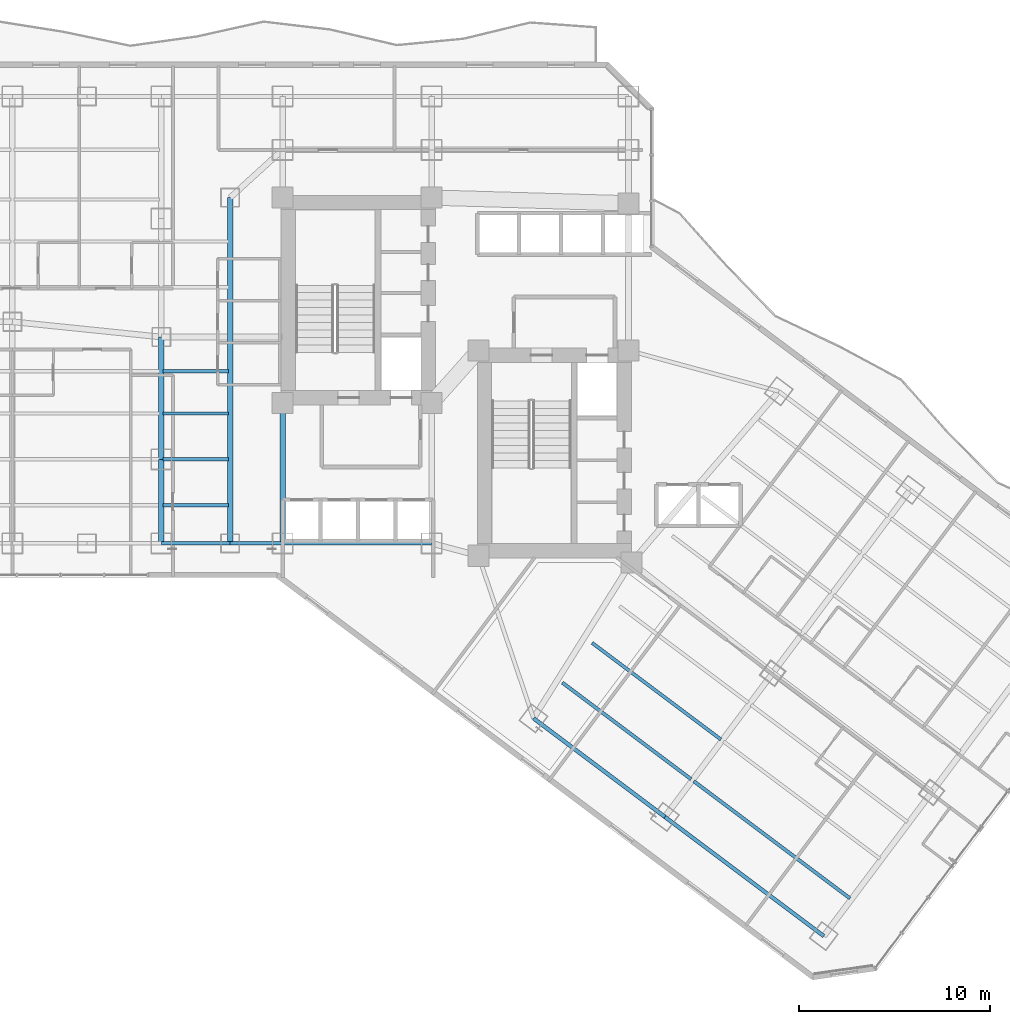
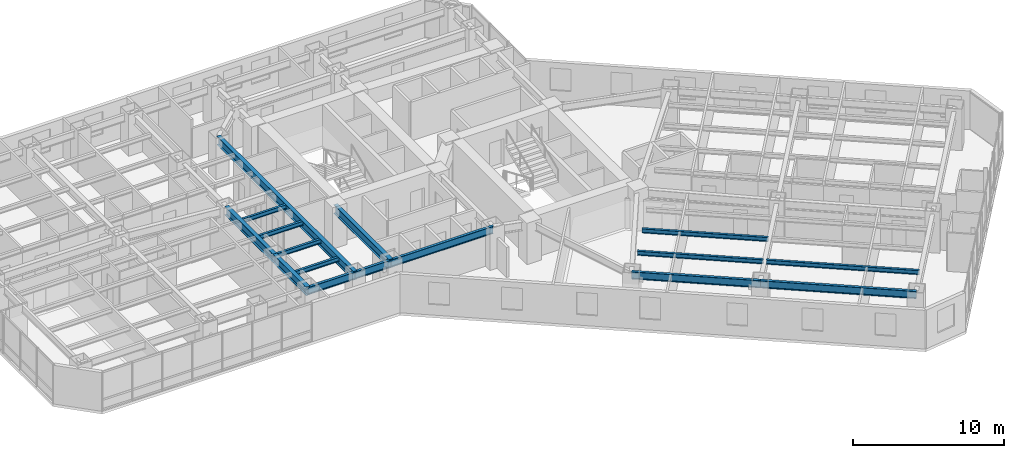
# One storey, part 7 of 38: 16 beams.
"""IFC4 building model written with IfcOpenShell, lengths in metres."""

from ifc_helpers import new_model, si_unit, direction, frame, origin, origin_2d, place, context, subcontext, project, spatial, i_section, extrude, material, material_profile, profile_set, type_object, element, save


model = new_model("IFC4")

# Units and contexts
model_context = context("Model", 3, precision=1e-05, world=origin(), true_north=direction((0.0, 1.0)))
body_context = subcontext(model_context, "Body", "Model", "MODEL_VIEW")
ifc_project = project(units=[si_unit("LENGTHUNIT", "METRE"), si_unit("AREAUNIT", "SQUARE_METRE"), si_unit("VOLUMEUNIT", "CUBIC_METRE"), si_unit("PLANEANGLEUNIT", "RADIAN"), si_unit("MASSUNIT", "GRAM", prefix="KILO")], contexts=[model_context])

# Site, building, storey
site_placement = place(None, origin())
site = spatial("IfcSite", under=ifc_project, at=site_placement, CompositionType="ELEMENT")
building_placement = place(site_placement, origin())
building = spatial("IfcBuilding", under=site, at=building_placement, Name="Hatsunagi Terrace Concourse", CompositionType="ELEMENT")
storey_placement = place(building_placement, frame((0.0, 0.0, 60.050048828125)))
storey = spatial("IfcBuildingStorey", under=building, at=storey_placement, Name="L15", CompositionType="ELEMENT", Elevation=60.050048828125)

# Beams
ifc_material_1 = material(Name="Steel SN490B", Category="steel")
ifc_material_profile_1 = material_profile(ifc_material_1, i_section(OverallWidth=0.300048828125, OverallDepth=0.699951171875, WebThickness=0.012939453125, FlangeThickness=0.02392578125, FilletRadius=0.02197265625, at=origin_2d()), Name="H-700x300x13x24")
ifc_profile_set_1 = profile_set([ifc_material_profile_1], Name="Steel SN490B")
beam_type_1 = type_object("IfcBeamType", Name="HotelFloorGirder_H_700x300", PredefinedType="BEAM", material=ifc_profile_set_1)
beam_1_placement = place(storey_placement, frame((25.550048828125, 25.199951171875, 2.780029296875), z_axis=(0.0, 1.0, 0.0), x_axis=(-1.0, 0.0, 0.0)))
element("IfcBeam", 1, at=beam_1_placement, inside=storey, type_object=beam_type_1, Name="Beam G-04 BM-L15-K1CA", PredefinedType="BEAM", context=body_context, shape_type="SweptSolid", body=[
    extrude(i_section(OverallWidth=0.300048828125, OverallDepth=0.699951171875, WebThickness=0.012939453125, FlangeThickness=0.02392578125, FilletRadius=0.02197265625, at=origin_2d()), origin(), (0.0, 0.0, 1.0), 7.35009765625),
])
beam_2_placement = place(storey_placement, frame((22.800048828125, 25.199951171875, 2.780029296875), z_axis=(0.0, 1.0, 0.0), x_axis=(-1.0, 0.0, 0.0)))
element("IfcBeam", 2, at=beam_2_placement, inside=storey, type_object=beam_type_1, Name="Beam G-04 BM-L15-CWNS", PredefinedType="BEAM", context=body_context, shape_type="SweptSolid", body=[
    extrude(i_section(OverallWidth=0.300048828125, OverallDepth=0.699951171875, WebThickness=0.012939453125, FlangeThickness=0.02392578125, FilletRadius=0.02197265625, at=origin_2d()), origin(), (0.0, 0.0, 1.0), 18.10009765625),
])
beam_3_placement = place(storey_placement, frame((19.199951171875, 25.199951171875, 2.780029296875), z_axis=(0.0, 1.0, 0.0), x_axis=(-1.0, 0.0, 0.0)))
element("IfcBeam", 3, at=beam_3_placement, inside=storey, type_object=beam_type_1, Name="Beam G-04 BM-L15-NS-19-25", PredefinedType="BEAM", context=body_context, shape_type="SweptSolid", body=[
    extrude(i_section(OverallWidth=0.300048828125, OverallDepth=0.699951171875, WebThickness=0.012939453125, FlangeThickness=0.02392578125, FilletRadius=0.02197265625, at=origin_2d()), origin(), (0.0, 0.0, 1.0), 4.400146484375),
])
beam_4_placement = place(storey_placement, frame((19.199951171875, 29.60009765625, 2.780029296875), z_axis=(0.0, 1.0, 0.0), x_axis=(-1.0, 0.0, 0.0)))
element("IfcBeam", 4, at=beam_4_placement, inside=storey, type_object=beam_type_1, Name="Beam G-04 BM-L15-NS-19-29", PredefinedType="BEAM", context=body_context, shape_type="SweptSolid", body=[
    extrude(i_section(OverallWidth=0.300048828125, OverallDepth=0.699951171875, WebThickness=0.012939453125, FlangeThickness=0.02392578125, FilletRadius=0.02197265625, at=origin_2d()), origin(), (0.0, 0.0, 1.0), 6.39990234375),
])
ifc_material_2 = material(Name="Steel SN490B", Category="steel")
ifc_material_profile_2 = material_profile(ifc_material_2, i_section(OverallWidth=0.175048828125, OverallDepth=0.35009765625, WebThickness=0.007080078125, FlangeThickness=0.010986328125, FilletRadius=0.012939453125, at=origin_2d()), Name="H-350x175x7x11")
ifc_profile_set_2 = profile_set([ifc_material_profile_2], Name="Steel SN490B")
beam_type_2 = type_object("IfcBeamType", Name="HotelJoist_H_350x175", PredefinedType="JOIST", material=ifc_profile_set_2)
for number, where, z_axis, x_axis, name in (
    (5, (19.284912109375, 27.199951171875, 2.954833984375), (1.0, 0.0, 0.0), (0.0, 1.0, 0.0), "Beam J-02 J-L15-W-19-272"),
    (6, (19.284912109375, 29.60009765625, 2.954833984375), (1.0, 0.0, 0.0), (0.0, 1.0, 0.0), "Beam J-02 J-L15-W-19-296"),
    (7, (19.284912109375, 32.0, 2.954833984375), (1.0, 0.0, 0.0), (0.0, 1.0, 0.0), "Beam J-02 J-L15-W-19-320"),
    (8, (19.284912109375, 34.199951171875, 2.954833984375), (1.0, 0.0, 0.0), (0.0, 1.0, 0.0), "Beam J-02 J-L15-W-19-342"),
):
    element("IfcBeam", number, at=place(storey_placement, frame(where, z_axis=z_axis, x_axis=x_axis)), inside=storey, type_object=beam_type_2, Name=name, PredefinedType="JOIST", context=body_context, shape_type="SweptSolid", body=[
        extrude(i_section(OverallWidth=0.175048828125, OverallDepth=0.35009765625, WebThickness=0.007080078125, FlangeThickness=0.010986328125, FilletRadius=0.012939453125, at=origin_2d()), origin(), (0.0, 0.0, 1.0), 3.43017578125),
    ])
for number, where, z_axis, x_axis, name in (
    (9, (40.18798828125, 17.908935546875, 2.954833984375), (0.800003475366, -0.59999536615, 0.0), (0.59999536615, 0.800003475366, 0.0), "Beam J-02 J-L15-SE-2-46"),
    (10, (41.748046875, 19.989013671875, 2.954833984375), (0.799989573921, -0.600013901187, 0.0), (0.600013901187, 0.799989573921, 0.0), "Beam J-02 J-L15-SE-2-72"),
):
    element("IfcBeam", number, at=place(storey_placement, frame(where, z_axis=z_axis, x_axis=x_axis)), inside=storey, type_object=beam_type_2, Name=name, PredefinedType="JOIST", context=body_context, shape_type="SweptSolid", body=[
        extrude(i_section(OverallWidth=0.175048828125, OverallDepth=0.35009765625, WebThickness=0.007080078125, FlangeThickness=0.010986328125, FilletRadius=0.012939453125, at=origin_2d()), origin(), (0.0, 0.0, 1.0), 8.429931640625),
    ])
beam_5_placement = place(storey_placement, frame((47.068115234375, 12.7490234375, 2.954833984375), z_axis=(0.799997136125, -0.600003818481, 0.0), x_axis=(0.600003818481, 0.799997136125, 0.0)))
element("IfcBeam", 11, at=beam_5_placement, inside=storey, type_object=beam_type_2, Name="Beam J-02 J-L15-SE-3-46", PredefinedType="JOIST", context=body_context, shape_type="SweptSolid", body=[
    extrude(i_section(OverallWidth=0.175048828125, OverallDepth=0.35009765625, WebThickness=0.007080078125, FlangeThickness=0.010986328125, FilletRadius=0.012939453125, at=origin_2d()), origin(), (0.0, 0.0, 1.0), 10.229736328125),
])
ifc_material_3 = material(Name="Steel SN490B", Category="steel")
ifc_material_profile_3 = material_profile(ifc_material_3, i_section(OverallWidth=0.199951171875, OverallDepth=0.60009765625, WebThickness=0.010986328125, FlangeThickness=0.01708984375, FilletRadius=0.01806640625, at=origin_2d()), Name="H-600x200x11x17")
ifc_profile_set_3 = profile_set([ifc_material_profile_3], Name="Steel SN490B")
beam_type_3 = type_object("IfcBeamType", Name="PerimeterSpandrel_H_600x200", PredefinedType="SPANDREL", material=ifc_profile_set_3)
beam_6_placement = place(storey_placement, frame((19.199951171875, 25.199951171875, 2.829833984375), z_axis=(1.0, 0.0, 0.0), x_axis=(0.0, 1.0, 0.0)))
element("IfcBeam", 12, at=beam_6_placement, inside=storey, type_object=beam_type_3, Name="Beam SP-01 BM-L15-WS-19", PredefinedType="SPANDREL", context=body_context, shape_type="SweptSolid", body=[
    extrude(i_section(OverallWidth=0.199951171875, OverallDepth=0.60009765625, WebThickness=0.010986328125, FlangeThickness=0.01708984375, FilletRadius=0.01806640625, at=origin_2d()), origin(), (0.0, 0.0, 1.0), 3.60009765625),
])
beam_7_placement = place(storey_placement, frame((22.800048828125, 25.199951171875, 2.829833984375), z_axis=(1.0, 0.0, 0.0), x_axis=(0.0, 1.0, 0.0)))
element("IfcBeam", 13, at=beam_7_placement, inside=storey, type_object=beam_type_3, Name="Beam SP-01 BM-L15-WS-22", PredefinedType="SPANDREL", context=body_context, shape_type="SweptSolid", body=[
    extrude(i_section(OverallWidth=0.199951171875, OverallDepth=0.60009765625, WebThickness=0.010986328125, FlangeThickness=0.01708984375, FilletRadius=0.01806640625, at=origin_2d()), origin(), (0.0, 0.0, 1.0), 2.75),
])
beam_8_placement = place(storey_placement, frame((25.550048828125, 25.199951171875, 2.829833984375), z_axis=(1.0, 0.0, 0.0), x_axis=(0.0, 1.0, 0.0)))
element("IfcBeam", 14, at=beam_8_placement, inside=storey, type_object=beam_type_3, Name="Beam SP-01 BM-L15-WS-25", PredefinedType="SPANDREL", context=body_context, shape_type="SweptSolid", body=[
    extrude(i_section(OverallWidth=0.199951171875, OverallDepth=0.60009765625, WebThickness=0.010986328125, FlangeThickness=0.01708984375, FilletRadius=0.01806640625, at=origin_2d()), origin(), (0.0, 0.0, 1.0), 7.800048828125),
])
beam_9_placement = place(storey_placement, frame((38.679931640625, 16.0400390625, 2.829833984375), z_axis=(0.799996593451, -0.600004542038, 0.0), x_axis=(0.600004542038, 0.799996593451, 0.0)))
element("IfcBeam", 15, at=beam_9_placement, inside=storey, type_object=beam_type_3, Name="Beam SP-01 BM-L15-SE-SW2", PredefinedType="SPANDREL", context=body_context, shape_type="SweptSolid", body=[
    extrude(i_section(OverallWidth=0.199951171875, OverallDepth=0.60009765625, WebThickness=0.010986328125, FlangeThickness=0.01708984375, FilletRadius=0.01806640625, at=origin_2d()), origin(), (0.0, 0.0, 1.0), 8.60009765625),
])
beam_10_placement = place(storey_placement, frame((45.56005859375, 10.8798828125, 2.829833984375), z_axis=(0.799994365871, -0.600007512099, 0.0), x_axis=(0.600007512099, 0.799994365871, 0.0)))
element("IfcBeam", 16, at=beam_10_placement, inside=storey, type_object=beam_type_3, Name="Beam SP-01 BM-L15-SE-SW3", PredefinedType="SPANDREL", context=body_context, shape_type="SweptSolid", body=[
    extrude(i_section(OverallWidth=0.199951171875, OverallDepth=0.60009765625, WebThickness=0.010986328125, FlangeThickness=0.01708984375, FilletRadius=0.01806640625, at=origin_2d()), origin(), (0.0, 0.0, 1.0), 10.39990234375),
])

save(model, "model.ifc")
